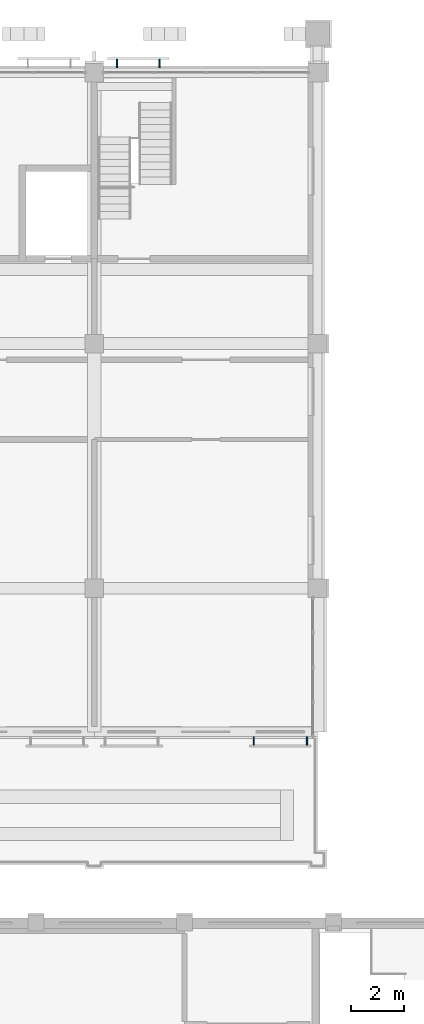
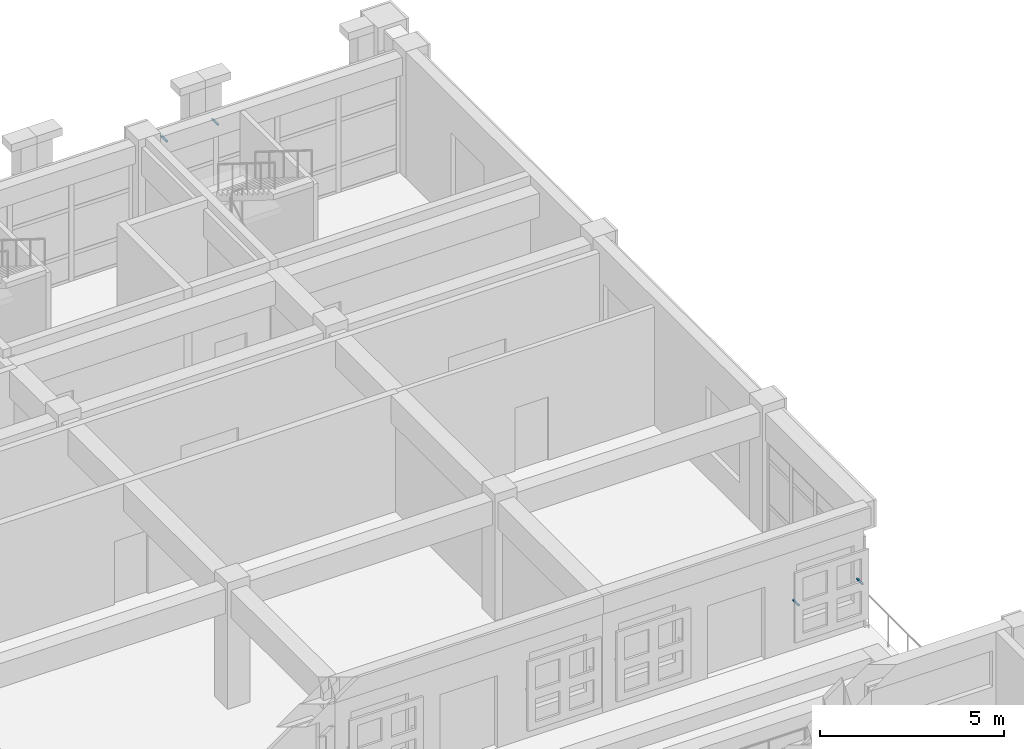
# One storey, part 82 of 99: 4 discrete accessories.
"""IFC4 building model written with IfcOpenShell, lengths in metres."""

from ifc_helpers import new_model, si_unit, direction, frame, origin, origin_2d, place, context, subcontext, project, spatial, rectangle, extrude, material, type_object, element, save


model = new_model("IFC4")

# Units and contexts
model_context = context("Model", 3, precision=1e-05, world=origin(), true_north=direction((0.0, 1.0)))
body_context = subcontext(model_context, "Body", "Model", "MODEL_VIEW")
ifc_project = project(units=[si_unit("LENGTHUNIT", "METRE"), si_unit("AREAUNIT", "SQUARE_METRE"), si_unit("VOLUMEUNIT", "CUBIC_METRE"), si_unit("PLANEANGLEUNIT", "RADIAN"), si_unit("MASSUNIT", "GRAM", prefix="KILO")], contexts=[model_context])

# Site, building, storey
site_placement = place(None, origin())
site = spatial("IfcSite", under=ifc_project, at=site_placement, CompositionType="ELEMENT")
building_placement = place(site_placement, origin())
building = spatial("IfcBuilding", under=site, at=building_placement, Name="Wasatch Bagh Community Centre", CompositionType="ELEMENT")
storey_placement = place(building_placement, frame((0.0, 0.0, 4.199951171875)))
storey = spatial("IfcBuildingStorey", under=building, at=storey_placement, Name="L01", CompositionType="ELEMENT", Elevation=4.199951171875)

# Discrete accessories
ifc_material = material(Name="Galvanised steel", Category="steel")
discrete_accessory_type = type_object("IfcDiscreteAccessoryType", Name="LW jali bracket", PredefinedType="BRACKET", material=ifc_material)
for number, where, z_axis, x_axis, name in (
    (1, (137.199951171875, 72.659912109375, 1.63525390625), (0.0, 0.0, 1.0), (1.0, 0.0, 0.0), "Jali bracket"),
    (2, (139.199951171875, 72.659912109375, 1.63525390625), (0.0, 0.0, 1.0), (1.0, 0.0, 0.0), "Jali bracket"),
):
    element("IfcDiscreteAccessory", number, at=place(storey_placement, frame(where, z_axis=z_axis, x_axis=x_axis)), inside=storey, type_object=discrete_accessory_type, Name=name, PredefinedType="BRACKET", context=body_context, shape_type="SweptSolid", body=[
        extrude(rectangle(XDim=0.050048828125, YDim=0.320068359375, at=origin_2d()), origin(), (0.0, 0.0, 1.0), 0.050048828125),
    ])
for number, where, z_axis, x_axis, name in (
    (3, (132.06005859375, 98.137451171875, 3.39501953125), (0.0, 0.0, 1.0), (1.0, 0.0, 0.0), "Jali bracket"),
    (4, (133.659912109375, 98.137451171875, 3.39501953125), (0.0, 0.0, 1.0), (1.0, 0.0, 0.0), "Jali bracket"),
):
    element("IfcDiscreteAccessory", number, at=place(storey_placement, frame(where, z_axis=z_axis, x_axis=x_axis)), inside=storey, type_object=discrete_accessory_type, Name=name, PredefinedType="BRACKET", context=body_context, shape_type="SweptSolid", body=[
        extrude(rectangle(XDim=0.050048828125, YDim=0.324951171875, at=origin_2d()), origin(), (0.0, 0.0, 1.0), 0.050048828125),
    ])

save(model, "model.ifc")
